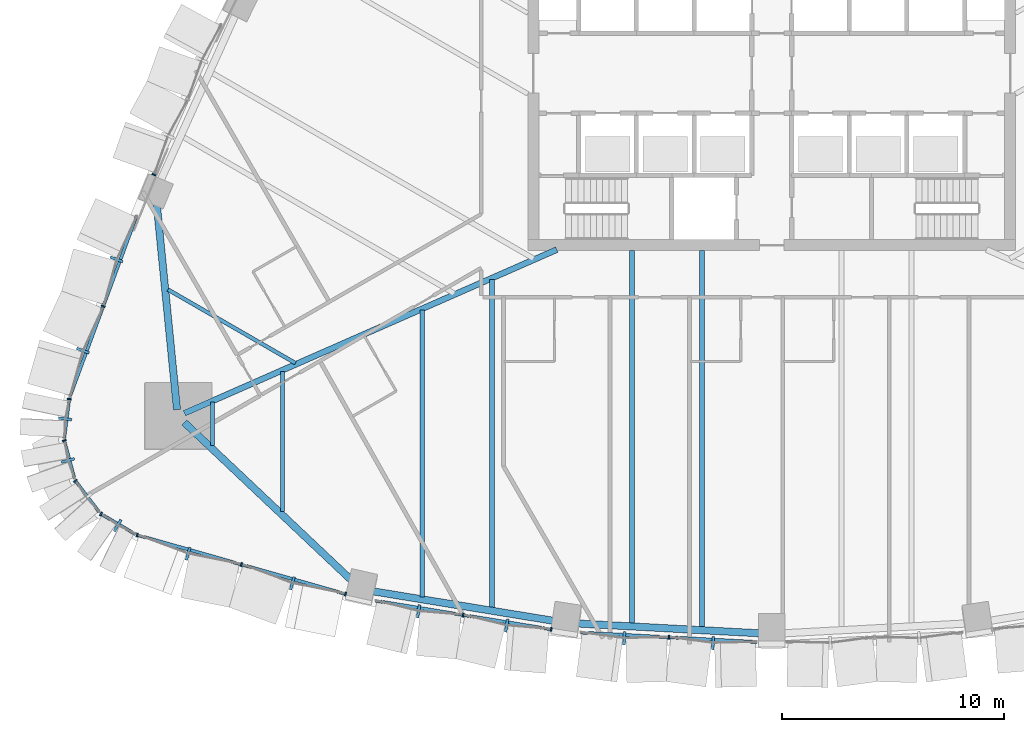
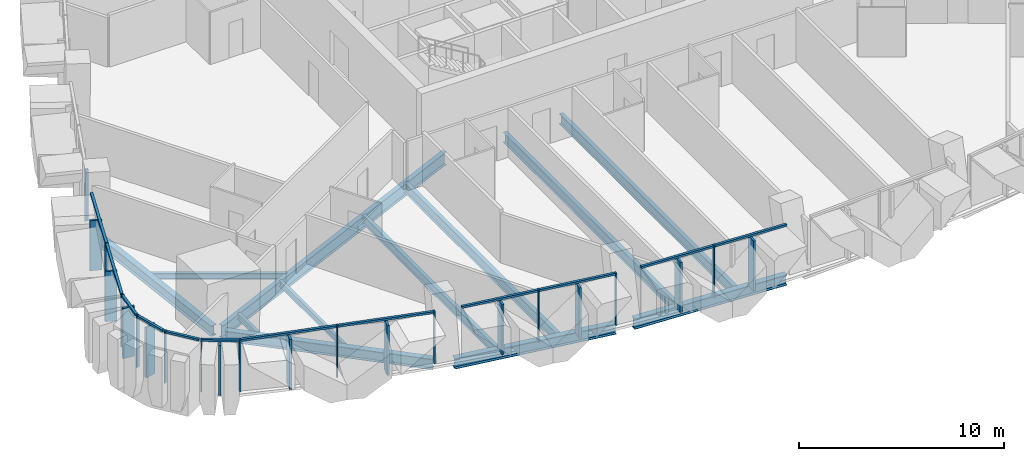
# One storey, part 2 of 22: 35 members, 12 beams, 9 elements without a shape of their own.
"""IFC4 building model written with IfcOpenShell, lengths in metres."""

from ifc_helpers import new_model, si_unit, direction, frame, origin, origin_2d, place, context, subcontext, project, spatial, rectangle, i_section, extrude, material, layer, layer_set, material_profile, profile_set, type_object, element, aggregate, save


model = new_model("IFC4")

# Units and contexts
model_context = context("Model", 3, precision=1e-05, world=origin(), true_north=direction((0.0, 1.0)))
body_context = subcontext(model_context, "Body", "Model", "MODEL_VIEW")
ifc_project = project(units=[si_unit("LENGTHUNIT", "METRE"), si_unit("AREAUNIT", "SQUARE_METRE"), si_unit("VOLUMEUNIT", "CUBIC_METRE"), si_unit("PLANEANGLEUNIT", "RADIAN"), si_unit("MASSUNIT", "GRAM", prefix="KILO")], contexts=[model_context])

# Site, building, storey
site_placement = place(None, origin())
site = spatial("IfcSite", under=ifc_project, at=site_placement, CompositionType="ELEMENT")
building_placement = place(site_placement, origin())
building = spatial("IfcBuilding", under=site, at=building_placement, Name="Sierra Prisma Convention Tower", CompositionType="ELEMENT")
storey_placement = place(building_placement, frame((0.0, 0.0, 62.800048828125)))
storey = spatial("IfcBuildingStorey", under=building, at=storey_placement, Name="L11", CompositionType="ELEMENT", Elevation=62.800048828125)

# Curtain wall, members
ifc_material_1 = material(Name="Aluminium and glass curtain wall", Category="aluminium")
ifc_layer = layer(ifc_material_1, 0.179931640625)
ifc_layer_set = layer_set([ifc_layer], Name="CW-2 Faceted crystal curtain wall")
curtain_wall_type = type_object("IfcCurtainWallType", Name="CW-2 Faceted crystal curtain wall", PredefinedType="NOTDEFINED", material=ifc_layer_set)
curtain_wall_1_placement = place(storey_placement, origin())
curtain_wall_1 = element("IfcCurtainWall", 1, at=curtain_wall_1_placement, inside=storey, type_object=curtain_wall_type, Name="CW-2 S1 L11", PredefinedType="NOTDEFINED")
ifc_material_2 = material(Name="Aluminium 6063-T6 bronze anodised", Category="aluminium")
ifc_material_profile_1 = material_profile(ifc_material_2, rectangle(XDim=0.1201171875, YDim=0.60009765625, at=origin_2d()), Name="ALU RIDGE BLADE 120x600")
ifc_profile_set_1 = profile_set([ifc_material_profile_1], Name="Aluminium 6063-T6 bronze anodised")
member_type_1 = type_object("IfcMemberType", Name="CW hip bronze", PredefinedType="MULLION", material=ifc_profile_set_1)
member_1_placement = place(storey_placement, frame((-26.318603515625, -21.671142578125, 0.0), z_axis=(0.0, 0.0, 1.0), x_axis=(0.962130741074, -0.27258840232, 0.0)))
member_1 = element("IfcMember", 2, at=member_1_placement, type_object=member_type_1, Name="CW-2 ridge S1.1", PredefinedType="MULLION", context=body_context, shape_type="SweptSolid", body=[
    extrude(rectangle(XDim=0.1201171875, YDim=0.60009765625, at=origin_2d()), origin(), (0.0, 0.0, 1.0), 2.97998046875),
])
member_2_placement = place(storey_placement, frame((-21.61962890625, -23.00244140625, 0.0), z_axis=(0.0, 0.0, 1.0), x_axis=(0.962130741074, -0.27258840232, 0.0)))
member_2 = element("IfcMember", 3, at=member_2_placement, type_object=member_type_1, Name="CW-2 ridge S1.2", PredefinedType="MULLION", context=body_context, shape_type="SweptSolid", body=[
    extrude(rectangle(XDim=0.1201171875, YDim=0.60009765625, at=origin_2d()), origin(), (0.0, 0.0, 1.0), 2.97998046875),
])

curtain_wall_2_placement = place(storey_placement, origin())
curtain_wall_2 = element("IfcCurtainWall", 4, at=curtain_wall_2_placement, inside=storey, type_object=curtain_wall_type, Name="CW-2 S2 L11", PredefinedType="NOTDEFINED")
member_3_placement = place(storey_placement, frame((-15.927978515625, -24.263427734375, 0.0), z_axis=(0.0, 0.0, 1.0), x_axis=(0.987024571432, -0.160569285323, 0.0)))
member_3 = element("IfcMember", 5, at=member_3_placement, type_object=member_type_1, Name="CW-2 ridge S2.1", PredefinedType="MULLION", context=body_context, shape_type="SweptSolid", body=[
    extrude(rectangle(XDim=0.1201171875, YDim=0.60009765625, at=origin_2d()), origin(), (0.0, 0.0, 1.0), 2.97998046875),
])
member_4_placement = place(storey_placement, frame((-11.955322265625, -24.90966796875, 0.0), z_axis=(0.0, 0.0, 1.0), x_axis=(0.987024571432, -0.160569285323, 0.0)))
member_4 = element("IfcMember", 6, at=member_4_placement, type_object=member_type_1, Name="CW-2 ridge S2.2", PredefinedType="MULLION", context=body_context, shape_type="SweptSolid", body=[
    extrude(rectangle(XDim=0.1201171875, YDim=0.60009765625, at=origin_2d()), origin(), (0.0, 0.0, 1.0), 2.97998046875),
])

curtain_wall_3_placement = place(storey_placement, origin())
curtain_wall_3 = element("IfcCurtainWall", 7, at=curtain_wall_3_placement, inside=storey, type_object=curtain_wall_type, Name="CW-2 S3 L11", PredefinedType="NOTDEFINED")
member_5_placement = place(storey_placement, frame((-6.64990234375, -25.48388671875, 0.0), z_axis=(0.0, 0.0, 1.0), x_axis=(0.998562499444, -0.053599764027, 0.0)))
member_5 = element("IfcMember", 8, at=member_5_placement, type_object=member_type_1, Name="CW-2 ridge S3.1", PredefinedType="MULLION", context=body_context, shape_type="SweptSolid", body=[
    extrude(rectangle(XDim=0.1201171875, YDim=0.60009765625, at=origin_2d()), origin(), (0.0, 0.0, 1.0), 2.97998046875),
])
member_6_placement = place(storey_placement, frame((-2.64501953125, -25.698974609375, 0.0), z_axis=(0.0, 0.0, 1.0), x_axis=(0.998562499444, -0.053599764027, 0.0)))
member_6 = element("IfcMember", 9, at=member_6_placement, type_object=member_type_1, Name="CW-2 ridge S3.2", PredefinedType="MULLION", context=body_context, shape_type="SweptSolid", body=[
    extrude(rectangle(XDim=0.1201171875, YDim=0.60009765625, at=origin_2d()), origin(), (0.0, 0.0, 1.0), 2.97998046875),
])

curtain_wall_4_placement = place(storey_placement, origin())
curtain_wall_4 = element("IfcCurtainWall", 10, at=curtain_wall_4_placement, inside=storey, type_object=curtain_wall_type, Name="CW-2 NW6 L11", PredefinedType="NOTDEFINED")
member_7_placement = place(storey_placement, frame((-29.548095703125, -8.392822265625, 0.0), z_axis=(0.0, 0.0, 1.0), x_axis=(-0.346042554423, -0.938218818042, 0.0)))
member_7 = element("IfcMember", 11, at=member_7_placement, type_object=member_type_1, Name="CW-2 ridge NW6.1", PredefinedType="MULLION", context=body_context, shape_type="SweptSolid", body=[
    extrude(rectangle(XDim=0.1201171875, YDim=0.60009765625, at=origin_2d()), origin(), (0.0, 0.0, 1.0), 2.97998046875),
])
member_8_placement = place(storey_placement, frame((-31.065673828125, -12.508056640625, 0.0), z_axis=(0.0, 0.0, 1.0), x_axis=(-0.346042554423, -0.938218818042, 0.0)))
member_8 = element("IfcMember", 12, at=member_8_placement, type_object=member_type_1, Name="CW-2 ridge NW6.2", PredefinedType="MULLION", context=body_context, shape_type="SweptSolid", body=[
    extrude(rectangle(XDim=0.1201171875, YDim=0.60009765625, at=origin_2d()), origin(), (0.0, 0.0, 1.0), 2.97998046875),
])

# Curtain wall, member
curtain_wall_5_placement = place(storey_placement, origin())
curtain_wall_5 = element("IfcCurtainWall", 13, at=curtain_wall_5_placement, inside=storey, type_object=curtain_wall_type, Name="CW-2 SW1 L11", PredefinedType="NOTDEFINED")
member_9_placement = place(storey_placement, frame((-31.864013671875, -15.585693359375, 0.0), z_axis=(0.0, 0.0, 1.0), x_axis=(-0.125311931697, -0.992117392134, 0.0)))
member_9 = element("IfcMember", 14, at=member_9_placement, type_object=member_type_1, Name="CW-2 ridge SW1.1", PredefinedType="MULLION", context=body_context, shape_type="SweptSolid", body=[
    extrude(rectangle(XDim=0.1201171875, YDim=0.60009765625, at=origin_2d()), origin(), (0.0, 0.0, 1.0), 2.97998046875),
])

curtain_wall_6_placement = place(storey_placement, origin())
curtain_wall_6 = element("IfcCurtainWall", 15, at=curtain_wall_6_placement, inside=storey, type_object=curtain_wall_type, Name="CW-2 SW2 L11", PredefinedType="NOTDEFINED")
member_10_placement = place(storey_placement, frame((-31.7353515625, -17.4609375, 0.0), z_axis=(0.0, 0.0, 1.0), x_axis=(0.259788197767, -0.965665621373, 0.0)))
member_10 = element("IfcMember", 16, at=member_10_placement, type_object=member_type_1, Name="CW-2 ridge SW2.1", PredefinedType="MULLION", context=body_context, shape_type="SweptSolid", body=[
    extrude(rectangle(XDim=0.1201171875, YDim=0.60009765625, at=origin_2d()), origin(), (0.0, 0.0, 1.0), 2.97998046875),
])

curtain_wall_7_placement = place(storey_placement, origin())
curtain_wall_7 = element("IfcCurtainWall", 17, at=curtain_wall_7_placement, inside=storey, type_object=curtain_wall_type, Name="CW-2 SW4 L11", PredefinedType="NOTDEFINED")
member_11_placement = place(storey_placement, frame((-29.499267578125, -20.394775390625, 0.0), z_axis=(0.0, 0.0, 1.0), x_axis=(0.862248807702, -0.50648493918, 0.0)))
member_11 = element("IfcMember", 18, at=member_11_placement, type_object=member_type_1, Name="CW-2 ridge SW4.1", PredefinedType="MULLION", context=body_context, shape_type="SweptSolid", body=[
    extrude(rectangle(XDim=0.1201171875, YDim=0.60009765625, at=origin_2d()), origin(), (0.0, 0.0, 1.0), 2.97998046875),
])

# Member
ifc_material_3 = material(Name="Aluminium 6063-T6 bronze anodised", Category="aluminium")
ifc_material_profile_2 = material_profile(ifc_material_3, rectangle(XDim=0.179931640625, YDim=0.070068359375, at=origin_2d()), Name="ALU MULLION 70x180")
ifc_profile_set_2 = profile_set([ifc_material_profile_2], Name="Aluminium 6063-T6 bronze anodised")
member_type_2 = type_object("IfcMemberType", Name="CW mullion bronze", PredefinedType="MULLION", material=ifc_profile_set_2)
member_12_placement = place(storey_placement, frame((-28.616455078125, -20.8232421875, 0.0), z_axis=(0.0, 0.0, 1.0), x_axis=(0.27258840232, 0.962130741074, 0.0)))
member_12 = element("IfcMember", 19, at=member_12_placement, type_object=member_type_2, Name="CW-1 mullion S1.1", PredefinedType="MULLION", context=body_context, shape_type="SweptSolid", body=[
    extrude(rectangle(XDim=0.179931640625, YDim=0.070068359375, at=origin_2d()), origin(), (0.0, 0.0, 1.0), 3.099853515625),
])

member_13_placement = place(storey_placement, frame((-23.91748046875, -22.154541015625, 0.0), z_axis=(0.0, 0.0, 1.0), x_axis=(0.27258840232, 0.962130741074, 0.0)))
member_13 = element("IfcMember", 20, at=member_13_placement, type_object=member_type_2, Name="CW-1 mullion S1.2", PredefinedType="MULLION", context=body_context, shape_type="SweptSolid", body=[
    extrude(rectangle(XDim=0.179931640625, YDim=0.070068359375, at=origin_2d()), origin(), (0.0, 0.0, 1.0), 3.099853515625),
])

member_14_placement = place(storey_placement, frame((-19.218505859375, -23.48583984375, 0.0), z_axis=(0.0, 0.0, 1.0), x_axis=(0.27258840232, 0.962130741074, 0.0)))
member_14 = element("IfcMember", 21, at=member_14_placement, type_object=member_type_2, Name="CW-1 mullion S1.3", PredefinedType="MULLION", context=body_context, shape_type="SweptSolid", body=[
    extrude(rectangle(XDim=0.179931640625, YDim=0.070068359375, at=origin_2d()), origin(), (0.0, 0.0, 1.0), 3.099853515625),
])

member_15_placement = place(storey_placement, frame((-13.91650390625, -24.43310546875, 0.0), z_axis=(0.0, 0.0, 1.0), x_axis=(0.160569285323, 0.987024571432, 0.0)))
member_15 = element("IfcMember", 22, at=member_15_placement, type_object=member_type_2, Name="CW-1 mullion S2.2", PredefinedType="MULLION", context=body_context, shape_type="SweptSolid", body=[
    extrude(rectangle(XDim=0.179931640625, YDim=0.070068359375, at=origin_2d()), origin(), (0.0, 0.0, 1.0), 3.099853515625),
])

member_16_placement = place(storey_placement, frame((-9.944091796875, -25.079345703125, 0.0), z_axis=(0.0, 0.0, 1.0), x_axis=(0.160569285323, 0.987024571432, 0.0)))
member_16 = element("IfcMember", 23, at=member_16_placement, type_object=member_type_2, Name="CW-1 mullion S2.3", PredefinedType="MULLION", context=body_context, shape_type="SweptSolid", body=[
    extrude(rectangle(XDim=0.179931640625, YDim=0.070068359375, at=origin_2d()), origin(), (0.0, 0.0, 1.0), 3.099853515625),
])

member_17_placement = place(storey_placement, frame((-4.63916015625, -25.4365234375, 0.0), z_axis=(0.0, 0.0, 1.0), x_axis=(0.053599764027, 0.998562499444, 0.0)))
member_17 = element("IfcMember", 24, at=member_17_placement, type_object=member_type_2, Name="CW-1 mullion S3.2", PredefinedType="MULLION", context=body_context, shape_type="SweptSolid", body=[
    extrude(rectangle(XDim=0.179931640625, YDim=0.070068359375, at=origin_2d()), origin(), (0.0, 0.0, 1.0), 3.099853515625),
])

# Curtain wall, member
curtain_wall_8_placement = place(storey_placement, origin())
curtain_wall_8 = element("IfcCurtainWall", 25, at=curtain_wall_8_placement, inside=storey, type_object=curtain_wall_type, Name="CW-2 NW5 L11", PredefinedType="NOTDEFINED")
member_18_placement = place(storey_placement, frame((-27.861328125, -4.57080078125, 0.0), z_axis=(0.0, 0.0, 1.0), x_axis=(0.912958523371, -0.408052367478, 0.0)))
member_18 = element("IfcMember", 26, at=member_18_placement, type_object=member_type_2, Name="CW-1 mullion NW5.3", PredefinedType="MULLION", context=body_context, shape_type="SweptSolid", body=[
    extrude(rectangle(XDim=0.179931640625, YDim=0.070068359375, at=origin_2d()), origin(), (0.0, 0.0, 1.0), 3.099853515625),
])
aggregate(curtain_wall_8, [member_18])

# Member
member_19_placement = place(storey_placement, frame((-30.1474609375, -10.50927734375, 0.0), z_axis=(0.0, 0.0, 1.0), x_axis=(0.938218818042, -0.346042554423, 0.0)))
member_19 = element("IfcMember", 27, at=member_19_placement, type_object=member_type_2, Name="CW-1 mullion NW6.2", PredefinedType="MULLION", context=body_context, shape_type="SweptSolid", body=[
    extrude(rectangle(XDim=0.179931640625, YDim=0.070068359375, at=origin_2d()), origin(), (0.0, 0.0, 1.0), 3.099853515625),
])

member_20_placement = place(storey_placement, frame((-31.681884765625, -14.692138671875, 0.0), z_axis=(0.0, 0.0, 1.0), x_axis=(0.992117392134, -0.125311931697, 0.0)))
member_20 = element("IfcMember", 28, at=member_20_placement, type_object=member_type_2, Name="CW-1 mullion SW1.1", PredefinedType="MULLION", context=body_context, shape_type="SweptSolid", body=[
    extrude(rectangle(XDim=0.179931640625, YDim=0.070068359375, at=origin_2d()), origin(), (0.0, 0.0, 1.0), 3.099853515625),
])

member_21_placement = place(storey_placement, frame((-31.905029296875, -16.56494140625, 0.0), z_axis=(0.0, 0.0, 1.0), x_axis=(0.965665621373, 0.259788197767, 0.0)))
member_21 = element("IfcMember", 29, at=member_21_placement, type_object=member_type_2, Name="CW-1 mullion SW2.1", PredefinedType="MULLION", context=body_context, shape_type="SweptSolid", body=[
    extrude(rectangle(XDim=0.179931640625, YDim=0.070068359375, at=origin_2d()), origin(), (0.0, 0.0, 1.0), 3.099853515625),
])

# Curtain wall, member
curtain_wall_9_placement = place(storey_placement, origin())
curtain_wall_9 = element("IfcCurtainWall", 30, at=curtain_wall_9_placement, inside=storey, type_object=curtain_wall_type, Name="CW-2 SW3 L11", PredefinedType="NOTDEFINED")
member_22_placement = place(storey_placement, frame((-31.40234375, -18.3828125, 0.0), z_axis=(0.0, 0.0, 1.0), x_axis=(0.795327929142, 0.606179416614, 0.0)))
member_22 = element("IfcMember", 31, at=member_22_placement, type_object=member_type_2, Name="CW-1 mullion SW3.1", PredefinedType="MULLION", context=body_context, shape_type="SweptSolid", body=[
    extrude(rectangle(XDim=0.179931640625, YDim=0.070068359375, at=origin_2d()), origin(), (0.0, 0.0, 1.0), 3.099853515625),
])

# Member
member_23_placement = place(storey_placement, frame((-30.24853515625, -19.874755859375, 0.0), z_axis=(0.0, 0.0, 1.0), x_axis=(0.50648493918, 0.862248807702, 0.0)))
member_23 = element("IfcMember", 32, at=member_23_placement, type_object=member_type_2, Name="CW-1 mullion SW4.1", PredefinedType="MULLION", context=body_context, shape_type="SweptSolid", body=[
    extrude(rectangle(XDim=0.179931640625, YDim=0.070068359375, at=origin_2d()), origin(), (0.0, 0.0, 1.0), 3.099853515625),
])

ifc_material_4 = material(Name="Aluminium 6063-T6 bronze anodised", Category="aluminium")
ifc_material_profile_3 = material_profile(ifc_material_4, rectangle(XDim=0.139892578125, YDim=0.1201171875, at=origin_2d()), Name="ALU TRANSOM 120x140")
ifc_profile_set_3 = profile_set([ifc_material_profile_3], Name="Aluminium 6063-T6 bronze anodised")
member_type_3 = type_object("IfcMemberType", Name="CW transom bronze", PredefinedType="USERDEFINED", material=ifc_profile_set_3)
member_24_placement = place(storey_placement, frame((-28.582763671875, -20.832763671875, 3.0400390625), z_axis=(0.962128278157, -0.272597095308, 0.0), x_axis=(0.272597095308, 0.962128278157, 0.0)))
member_24 = element("IfcMember", 33, at=member_24_placement, type_object=member_type_3, Name="CW-1 transom S1.1", ObjectType="TRANSOM", PredefinedType="USERDEFINED", context=body_context, shape_type="SweptSolid", body=[
    extrude(rectangle(XDim=0.139892578125, YDim=0.1201171875, at=origin_2d()), origin(), (0.0, 0.0, 1.0), 4.81396484375),
])

member_25_placement = place(storey_placement, frame((-23.8837890625, -22.1640625, 3.0400390625), z_axis=(0.962128278157, -0.272597095308, 0.0), x_axis=(0.272597095308, 0.962128278157, 0.0)))
member_25 = element("IfcMember", 34, at=member_25_placement, type_object=member_type_3, Name="CW-1 transom S1.2", ObjectType="TRANSOM", PredefinedType="USERDEFINED", context=body_context, shape_type="SweptSolid", body=[
    extrude(rectangle(XDim=0.139892578125, YDim=0.1201171875, at=origin_2d()), origin(), (0.0, 0.0, 1.0), 4.81396484375),
])

aggregate(curtain_wall_1, [member_12, member_13, member_14, member_24, member_1, member_25, member_2])

member_26_placement = place(storey_placement, frame((-17.854736328125, -23.79248046875, 3.0400390625), z_axis=(0.987025477318, -0.160563716712, 0.0), x_axis=(0.160563716712, 0.987025477318, 0.0)))
member_26 = element("IfcMember", 35, at=member_26_placement, type_object=member_type_3, Name="CW-1 transom S2.1", ObjectType="TRANSOM", PredefinedType="USERDEFINED", context=body_context, shape_type="SweptSolid", body=[
    extrude(rectangle(XDim=0.139892578125, YDim=0.1201171875, at=origin_2d()), origin(), (0.0, 0.0, 1.0), 3.954833984375),
])

member_27_placement = place(storey_placement, frame((-13.882080078125, -24.438720703125, 3.0400390625), z_axis=(0.987025477318, -0.160563716712, 0.0), x_axis=(0.160563716712, 0.987025477318, 0.0)))
member_27 = element("IfcMember", 36, at=member_27_placement, type_object=member_type_3, Name="CW-1 transom S2.2", ObjectType="TRANSOM", PredefinedType="USERDEFINED", context=body_context, shape_type="SweptSolid", body=[
    extrude(rectangle(XDim=0.139892578125, YDim=0.1201171875, at=origin_2d()), origin(), (0.0, 0.0, 1.0), 3.954833984375),
])

aggregate(curtain_wall_2, [member_15, member_16, member_26, member_3, member_27, member_4])

member_28_placement = place(storey_placement, frame((-8.609130859375, -25.2236328125, 3.0400390625), z_axis=(0.998563045427, -0.053589591407, 0.0), x_axis=(0.053589591407, 0.998563045427, 0.0)))
member_28 = element("IfcMember", 37, at=member_28_placement, type_object=member_type_3, Name="CW-1 transom S3.1", ObjectType="TRANSOM", PredefinedType="USERDEFINED", context=body_context, shape_type="SweptSolid", body=[
    extrude(rectangle(XDim=0.139892578125, YDim=0.1201171875, at=origin_2d()), origin(), (0.0, 0.0, 1.0), 3.940673828125),
])

member_29_placement = place(storey_placement, frame((-4.604248046875, -25.4384765625, 3.0400390625), z_axis=(0.998563223331, -0.053586276331, 0.0), x_axis=(0.053586276331, 0.998563223331, 0.0)))
member_29 = element("IfcMember", 38, at=member_29_placement, type_object=member_type_3, Name="CW-1 transom S3.2", ObjectType="TRANSOM", PredefinedType="USERDEFINED", context=body_context, shape_type="SweptSolid", body=[
    extrude(rectangle(XDim=0.139892578125, YDim=0.1201171875, at=origin_2d()), origin(), (0.0, 0.0, 1.0), 3.94091796875),
])

aggregate(curtain_wall_3, [member_17, member_28, member_5, member_29, member_6])

member_30_placement = place(storey_placement, frame((-28.641845703125, -6.427001953125, 3.0400390625), z_axis=(-0.346072323186, -0.938207837915, 0.0), x_axis=(0.938207837915, -0.346072323186, 0.0)))
member_30 = element("IfcMember", 39, at=member_30_placement, type_object=member_type_3, Name="CW-1 transom NW6.1", ObjectType="TRANSOM", PredefinedType="USERDEFINED", context=body_context, shape_type="SweptSolid", body=[
    extrude(rectangle(XDim=0.139892578125, YDim=0.1201171875, at=origin_2d()), origin(), (0.0, 0.0, 1.0), 4.31591796875),
])

member_31_placement = place(storey_placement, frame((-30.15966796875, -10.5419921875, 3.0400390625), z_axis=(-0.346053957725, -0.938214612092, 0.0), x_axis=(0.938214612092, -0.346053957725, 0.0)))
member_31 = element("IfcMember", 40, at=member_31_placement, type_object=member_type_3, Name="CW-1 transom NW6.2", ObjectType="TRANSOM", PredefinedType="USERDEFINED", context=body_context, shape_type="SweptSolid", body=[
    extrude(rectangle(XDim=0.139892578125, YDim=0.1201171875, at=origin_2d()), origin(), (0.0, 0.0, 1.0), 4.316162109375),
])

aggregate(curtain_wall_4, [member_19, member_30, member_7, member_31, member_8])

member_32_placement = place(storey_placement, frame((-31.686279296875, -14.726806640625, 3.0400390625), z_axis=(-0.125237507778, -0.992126789602, 0.0), x_axis=(0.992126789602, -0.125237507778, 0.0)))
member_32 = element("IfcMember", 41, at=member_32_placement, type_object=member_type_3, Name="CW-1 transom SW1.1", ObjectType="TRANSOM", PredefinedType="USERDEFINED", context=body_context, shape_type="SweptSolid", body=[
    extrude(rectangle(XDim=0.139892578125, YDim=0.1201171875, at=origin_2d()), origin(), (0.0, 0.0, 1.0), 1.74853515625),
])

aggregate(curtain_wall_5, [member_20, member_32, member_9])

member_33_placement = place(storey_placement, frame((-31.89599609375, -16.5986328125, 3.0400390625), z_axis=(0.259808252217, -0.965660226001, 0.0), x_axis=(0.965660226001, 0.259808252217, 0.0)))
member_33 = element("IfcMember", 42, at=member_33_placement, type_object=member_type_3, Name="CW-1 transom SW2.1", ObjectType="TRANSOM", PredefinedType="USERDEFINED", context=body_context, shape_type="SweptSolid", body=[
    extrude(rectangle(XDim=0.139892578125, YDim=0.1201171875, at=origin_2d()), origin(), (0.0, 0.0, 1.0), 1.748779296875),
])

aggregate(curtain_wall_6, [member_21, member_33, member_10])

member_34_placement = place(storey_placement, frame((-31.381103515625, -18.41064453125, 3.0400390625), z_axis=(0.606236704363, -0.795284262564, 0.0), x_axis=(0.795284262564, 0.606236704363, 0.0)))
member_34 = element("IfcMember", 43, at=member_34_placement, type_object=member_type_3, Name="CW-1 transom SW3.1", ObjectType="TRANSOM", PredefinedType="USERDEFINED", context=body_context, shape_type="SweptSolid", body=[
    extrude(rectangle(XDim=0.139892578125, YDim=0.1201171875, at=origin_2d()), origin(), (0.0, 0.0, 1.0), 1.74853515625),
])

aggregate(curtain_wall_9, [member_22, member_34])

member_35_placement = place(storey_placement, frame((-30.21826171875, -19.892578125, 3.0400390625), z_axis=(0.862296505782, -0.506403728379, 0.0), x_axis=(0.506403728379, 0.862296505782, 0.0)))
member_35 = element("IfcMember", 44, at=member_35_placement, type_object=member_type_3, Name="CW-1 transom SW4.1", ObjectType="TRANSOM", PredefinedType="USERDEFINED", context=body_context, shape_type="SweptSolid", body=[
    extrude(rectangle(XDim=0.139892578125, YDim=0.1201171875, at=origin_2d()), origin(), (0.0, 0.0, 1.0), 1.74853515625),
])

aggregate(curtain_wall_7, [member_23, member_35, member_11])

# Beams
ifc_material_5 = material(Name="Steel ASTM A992 Gr 50", Category="steel")
ifc_material_profile_4 = material_profile(ifc_material_5, i_section(OverallWidth=0.172119140625, OverallDepth=0.35791015625, WebThickness=0.0078125, FlangeThickness=0.01318359375, at=origin_2d()), Name="W360x57")
ifc_profile_set_4 = profile_set([ifc_material_profile_4], Name="Steel ASTM A992 Gr 50")
beam_type_1 = type_object("IfcBeamType", Name="Floor joist W360x57", PredefinedType="JOIST", material=ifc_profile_set_4)
beam_1_placement = place(storey_placement, frame((-25.213134765625, -16.780517578125, -0.3291015625), z_axis=(0.0, 1.0, 0.0), x_axis=(-1.0, 0.0, 0.0)))
element("IfcBeam", 45, at=beam_1_placement, inside=storey, type_object=beam_type_1, Name="Floor joist L11 S01", PredefinedType="JOIST", context=body_context, shape_type="SweptSolid", body=[
    extrude(i_section(OverallWidth=0.172119140625, OverallDepth=0.35791015625, WebThickness=0.0078125, FlangeThickness=0.01318359375, at=origin_2d()), origin(), (0.0, 0.0, 1.0), 1.948486328125),
])
beam_2_placement = place(storey_placement, frame((-22.0615234375, -19.75537109375, -0.3291015625), z_axis=(0.0, 1.0, 0.0), x_axis=(-1.0, 0.0, 0.0)))
element("IfcBeam", 46, at=beam_2_placement, inside=storey, type_object=beam_type_1, Name="Floor joist L11 S02", PredefinedType="JOIST", context=body_context, shape_type="SweptSolid", body=[
    extrude(i_section(OverallWidth=0.172119140625, OverallDepth=0.35791015625, WebThickness=0.0078125, FlangeThickness=0.01318359375, at=origin_2d()), origin(), (0.0, 0.0, 1.0), 6.30859375),
])
beam_3_placement = place(storey_placement, frame((-27.230224609375, -9.7529296875, -0.3291015625), z_axis=(0.866011150276, -0.500024686988, 0.0), x_axis=(0.500024686988, 0.866011150276, 0.0)))
element("IfcBeam", 47, at=beam_3_placement, inside=storey, type_object=beam_type_1, Name="Floor joist L11 NW16", PredefinedType="JOIST", context=body_context, shape_type="SweptSolid", body=[
    extrude(i_section(OverallWidth=0.172119140625, OverallDepth=0.35791015625, WebThickness=0.0078125, FlangeThickness=0.01318359375, at=origin_2d()), origin(), (0.0, 0.0, 1.0), 6.642822265625),
])
ifc_material_6 = material(Name="Steel ASTM A992 Gr 50", Category="steel")
ifc_material_profile_5 = material_profile(ifc_material_6, i_section(OverallWidth=0.208984375, OverallDepth=0.532958984375, WebThickness=0.01025390625, FlangeThickness=0.015625, at=origin_2d()), Name="W530x92")
ifc_profile_set_5 = profile_set([ifc_material_profile_5], Name="Steel ASTM A992 Gr 50")
beam_type_2 = type_object("IfcBeamType", Name="Floor joist W530x92", PredefinedType="JOIST", material=ifc_profile_set_5)
beam_4_placement = place(storey_placement, frame((-15.75830078125, -23.611328125, -0.41650390625), z_axis=(0.0, 1.0, 0.0), x_axis=(-1.0, 0.0, 0.0)))
element("IfcBeam", 48, at=beam_4_placement, inside=storey, type_object=beam_type_2, Name="Floor joist L11 S04", PredefinedType="JOIST", context=body_context, shape_type="SweptSolid", body=[
    extrude(i_section(OverallWidth=0.208984375, OverallDepth=0.532958984375, WebThickness=0.01025390625, FlangeThickness=0.015625, at=origin_2d()), origin(), (0.0, 0.0, 1.0), 12.934814453125),
])
ifc_material_7 = material(Name="Steel ASTM A992 Gr 50", Category="steel")
ifc_material_profile_6 = material_profile(ifc_material_7, i_section(OverallWidth=0.22802734375, OverallDepth=0.60302734375, WebThickness=0.010498046875, FlangeThickness=0.014892578125, at=origin_2d()), Name="W610x101")
ifc_profile_set_6 = profile_set([ifc_material_profile_6], Name="Steel ASTM A992 Gr 50")
beam_type_3 = type_object("IfcBeamType", Name="Floor joist W610x101", PredefinedType="JOIST", material=ifc_profile_set_6)
beam_5_placement = place(storey_placement, frame((-12.6064453125, -24.126708984375, -0.45166015625), z_axis=(0.0, 1.0, 0.0), x_axis=(-1.0, 0.0, 0.0)))
element("IfcBeam", 49, at=beam_5_placement, inside=storey, type_object=beam_type_3, Name="Floor joist L11 S05", PredefinedType="JOIST", context=body_context, shape_type="SweptSolid", body=[
    extrude(i_section(OverallWidth=0.22802734375, OverallDepth=0.60302734375, WebThickness=0.010498046875, FlangeThickness=0.014892578125, at=origin_2d()), origin(), (0.0, 0.0, 1.0), 14.83544921875),
])
beam_6_placement = place(storey_placement, frame((-6.30322265625, -24.8330078125, -0.45166015625), z_axis=(0.0, 1.0, 0.0), x_axis=(-1.0, 0.0, 0.0)))
element("IfcBeam", 50, at=beam_6_placement, inside=storey, type_object=beam_type_3, Name="Floor joist L11 S07", PredefinedType="JOIST", context=body_context, shape_type="SweptSolid", body=[
    extrude(i_section(OverallWidth=0.22802734375, OverallDepth=0.60302734375, WebThickness=0.010498046875, FlangeThickness=0.014892578125, at=origin_2d()), origin(), (0.0, 0.0, 1.0), 16.8330078125),
])
beam_7_placement = place(storey_placement, frame((-3.151611328125, -25.0029296875, -0.45166015625), z_axis=(0.0, 1.0, 0.0), x_axis=(-1.0, 0.0, 0.0)))
element("IfcBeam", 51, at=beam_7_placement, inside=storey, type_object=beam_type_3, Name="Floor joist L11 S08", PredefinedType="JOIST", context=body_context, shape_type="SweptSolid", body=[
    extrude(i_section(OverallWidth=0.22802734375, OverallDepth=0.60302734375, WebThickness=0.010498046875, FlangeThickness=0.014892578125, at=origin_2d()), origin(), (0.0, 0.0, 1.0), 17.0029296875),
])
ifc_material_8 = material(Name="Steel ASTM A992 Gr 50", Category="steel")
ifc_material_profile_7 = material_profile(ifc_material_8, i_section(OverallWidth=0.264892578125, OverallDepth=0.7529296875, WebThickness=0.01318359375, FlangeThickness=0.01708984375, at=origin_2d()), Name="W760x147")
ifc_profile_set_7 = profile_set([ifc_material_profile_7], Name="Steel ASTM A992 Gr 50")
beam_type_4 = type_object("IfcBeamType", Name="Radial girder W760x147", PredefinedType="BEAM", material=ifc_profile_set_7)
beam_8_placement = place(storey_placement, frame((-26.489013671875, -15.334716796875, -0.526611328125), z_axis=(0.915484259199, 0.402353788548, 0.0), x_axis=(-0.402353788548, 0.915484259199, 0.0)))
element("IfcBeam", 52, at=beam_8_placement, inside=storey, type_object=beam_type_4, Name="Radial girder L11 SW", PredefinedType="BEAM", context=body_context, shape_type="SweptSolid", body=[
    extrude(i_section(OverallWidth=0.264892578125, OverallDepth=0.7529296875, WebThickness=0.01318359375, FlangeThickness=0.01708984375, at=origin_2d()), origin(), (0.0, 0.0, 1.0), 18.349609375),
])
ifc_material_9 = material(Name="Steel ASTM A992 Gr 50", Category="steel")
ifc_material_profile_8 = material_profile(ifc_material_9, i_section(OverallWidth=0.324951171875, OverallDepth=0.615966796875, WebThickness=0.013916015625, FlangeThickness=0.021484375, at=origin_2d()), Name="W610x174")
ifc_profile_set_8 = profile_set([ifc_material_profile_8], Name="Steel ASTM A992 Gr 50")
beam_type_5 = type_object("IfcBeamType", Name="Spandrel beam W610x174", PredefinedType="BEAM", material=ifc_profile_set_8)
beam_9_placement = place(storey_placement, frame((-26.489013671875, -15.749755859375, -0.4580078125), z_axis=(0.727219809603, -0.686404653627, 0.0), x_axis=(0.686404653627, 0.727219809603, 0.0)))
element("IfcBeam", 53, at=beam_9_placement, inside=storey, type_object=beam_type_5, Name="Spandrel L11-01", PredefinedType="BEAM", context=body_context, shape_type="SweptSolid", body=[
    extrude(i_section(OverallWidth=0.324951171875, OverallDepth=0.615966796875, WebThickness=0.013916015625, FlangeThickness=0.021484375, at=origin_2d()), origin(), (0.0, 0.0, 1.0), 10.384033203125),
])
beam_10_placement = place(storey_placement, frame((-18.04150390625, -23.352783203125, -0.4580078125), z_axis=(0.986900596857, -0.161329513492, 0.0), x_axis=(0.161329513492, 0.986900596857, 0.0)))
element("IfcBeam", 54, at=beam_10_placement, inside=storey, type_object=beam_type_5, Name="Spandrel L11-02", PredefinedType="BEAM", context=body_context, shape_type="SweptSolid", body=[
    extrude(i_section(OverallWidth=0.324951171875, OverallDepth=0.615966796875, WebThickness=0.013916015625, FlangeThickness=0.021484375, at=origin_2d()), origin(), (0.0, 0.0, 1.0), 8.39892578125),
])
beam_11_placement = place(storey_placement, frame((-8.798095703125, -24.811279296875, -0.4580078125), z_axis=(0.998549564651, -0.053840198129, 0.0), x_axis=(0.053840198129, 0.998549564651, 0.0)))
element("IfcBeam", 55, at=beam_11_placement, inside=storey, type_object=beam_type_5, Name="Spandrel L11-03", PredefinedType="BEAM", context=body_context, shape_type="SweptSolid", body=[
    extrude(i_section(OverallWidth=0.324951171875, OverallDepth=0.615966796875, WebThickness=0.013916015625, FlangeThickness=0.021484375, at=origin_2d()), origin(), (0.0, 0.0, 1.0), 8.329833984375),
])
beam_12_placement = place(storey_placement, frame((-27.7333984375, -5.89404296875, -0.4580078125), z_axis=(0.098180537619, -0.9951686199, 0.0), x_axis=(0.9951686199, 0.098180537619, 0.0)))
element("IfcBeam", 56, at=beam_12_placement, inside=storey, type_object=beam_type_5, Name="Spandrel L11-18", PredefinedType="BEAM", context=body_context, shape_type="SweptSolid", body=[
    extrude(i_section(OverallWidth=0.324951171875, OverallDepth=0.615966796875, WebThickness=0.013916015625, FlangeThickness=0.021484375, at=origin_2d()), origin(), (0.0, 0.0, 1.0), 9.3173828125),
])

save(model, "model.ifc")
